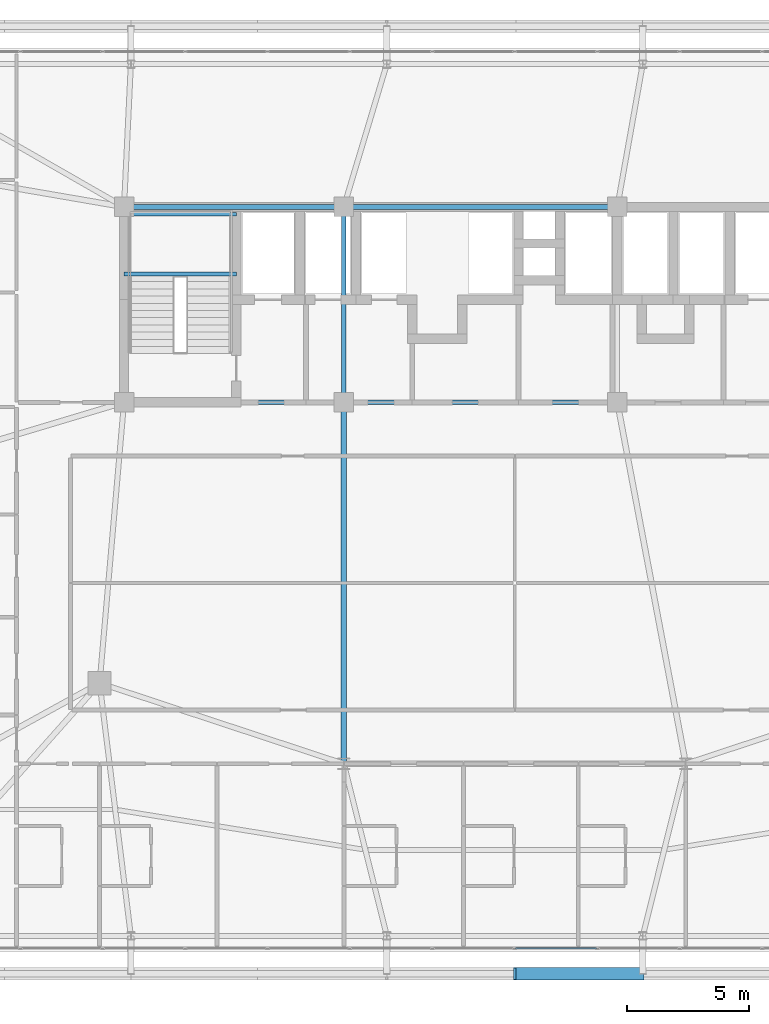
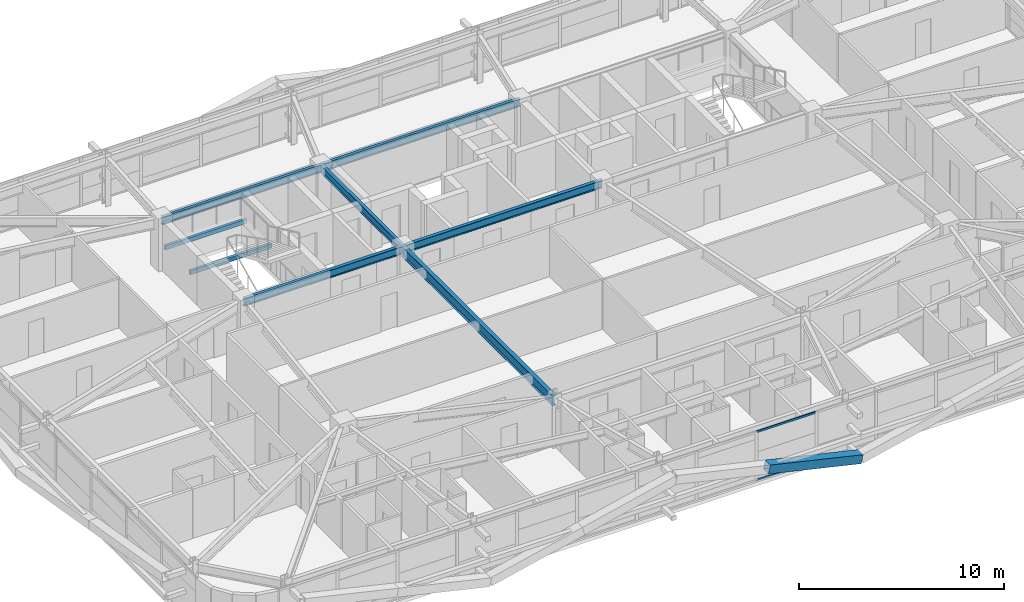
# One storey, part 19 of 59: 8 beams, 3 members, 1 element without a shape of its own.
"""IFC4 building model written with IfcOpenShell, lengths in metres."""

from ifc_helpers import new_model, si_unit, direction, frame, origin, origin_2d, place, context, subcontext, project, spatial, hollow_rectangle, i_section, extrude, source, transform, mapped, material, layer, layer_set, material_profile, profile_set, type_object, element, aggregate, save


model = new_model("IFC4")

# Units and contexts
model_context = context("Model", 3, precision=1e-05, world=origin(), true_north=direction((0.0, 1.0)))
body_context = subcontext(model_context, "Body", "Model", "MODEL_VIEW")
ifc_project = project(units=[si_unit("LENGTHUNIT", "METRE"), si_unit("AREAUNIT", "SQUARE_METRE"), si_unit("VOLUMEUNIT", "CUBIC_METRE"), si_unit("PLANEANGLEUNIT", "RADIAN"), si_unit("MASSUNIT", "GRAM", prefix="KILO")], contexts=[model_context])

# Site, building, storey
site_placement = place(None, origin())
site = spatial("IfcSite", under=ifc_project, at=site_placement, CompositionType="ELEMENT")
building_placement = place(site_placement, origin())
building = spatial("IfcBuilding", under=site, at=building_placement, Name="Taldren Reach Tower", CompositionType="ELEMENT")
storey_placement = place(building_placement, frame((0.0, 0.0, 19.949951171875)))
storey = spatial("IfcBuildingStorey", under=building, at=storey_placement, Name="L05", CompositionType="ELEMENT", Elevation=19.949951171875)

# Beams
ifc_material_1 = material(Name="Steel Gr 350 (350PLUS)", Category="steel")
ifc_material_profile_1 = material_profile(ifc_material_1, i_section(OverallWidth=0.19091796875, OverallDepth=0.4599609375, WebThickness=0.010009765625, FlangeThickness=0.01611328125, at=origin_2d()), Name="460UB82.1")
ifc_profile_set_1 = profile_set([ifc_material_profile_1], Name="Steel Gr 350 (350PLUS)")
beam_type_1 = type_object("IfcBeamType", Name="BM-UB460A", PredefinedType="BEAM", material=ifc_profile_set_1)
shared_shape_1 = source(origin(), body_context, "Body", "SweptSolid", [
    extrude(i_section(OverallWidth=0.19091796875, OverallDepth=0.4599609375, WebThickness=0.010009765625, FlangeThickness=0.01611328125, at=origin_2d()), origin(), (0.0, 0.0, 1.0), 9.0),
])
for number, where, z_axis, x_axis, name in (
    (1, (19.0, 24.0, 2.699951171875), (1.0, 0.0, 0.0), (0.0, 1.0, 0.0), "Core-spine girder L05-SP01"),
    (2, (19.0, 32.0, 2.699951171875), (1.0, 0.0, 0.0), (0.0, 1.0, 0.0), "Core-spine girder L05-SP04"),
):
    element("IfcBeam", number, at=place(storey_placement, frame(where, z_axis=z_axis, x_axis=x_axis)), inside=storey, type_object=beam_type_1, Name=name, PredefinedType="BEAM", context=body_context, shape_type="MappedRepresentation", body=[
        mapped(shared_shape_1, transform((0.0, 0.0, 0.0), scale=1.0)),
    ])
shared_shape_2 = source(origin(), body_context, "Body", "SweptSolid", [
    extrude(i_section(OverallWidth=0.19091796875, OverallDepth=0.4599609375, WebThickness=0.010009765625, FlangeThickness=0.01611328125, at=origin_2d()), origin(), (0.0, 0.0, 1.0), 11.199951171875),
])
for number, where, z_axis, x_axis, name in (
    (3, (28.0, 24.0, 2.699951171875), (1.0, 0.0, 0.0), (0.0, 1.0, 0.0), "Core-spine girder L05-SP02"),
    (4, (28.0, 32.0, 2.699951171875), (1.0, 0.0, 0.0), (0.0, 1.0, 0.0), "Core-spine girder L05-SP05"),
):
    element("IfcBeam", number, at=place(storey_placement, frame(where, z_axis=z_axis, x_axis=x_axis)), inside=storey, type_object=beam_type_1, Name=name, PredefinedType="BEAM", context=body_context, shape_type="MappedRepresentation", body=[
        mapped(shared_shape_2, transform((0.0, 0.0, 0.0), scale=1.0)),
    ])
shared_shape_3 = source(origin(), body_context, "Body", "SweptSolid", [
    extrude(i_section(OverallWidth=0.19091796875, OverallDepth=0.4599609375, WebThickness=0.010009765625, FlangeThickness=0.01611328125, at=origin_2d()), origin(), (0.0, 0.0, 1.0), 8.0),
])
beam_1_placement = place(storey_placement, frame((28.0, 24.0, 2.699951171875), z_axis=(0.0, 1.0, 0.0), x_axis=(-1.0, 0.0, 0.0)))
element("IfcBeam", 5, at=beam_1_placement, inside=storey, type_object=beam_type_1, Name="Core-spine girder L05-SP07", PredefinedType="BEAM", context=body_context, shape_type="MappedRepresentation", body=[
    mapped(shared_shape_3, transform((0.0, 0.0, 0.0), scale=1.0)),
])
ifc_material_profile_2 = material_profile(ifc_material_1, i_section(OverallWidth=0.22802734375, OverallDepth=0.60205078125, WebThickness=0.010498046875, FlangeThickness=0.014892578125, at=origin_2d()), Name="610UB101")
ifc_profile_set_2 = profile_set([ifc_material_profile_2], Name="Steel Gr 350 (350PLUS)")
beam_type_2 = type_object("IfcBeamType", Name="BM-UB610B", PredefinedType="BEAM", material=ifc_profile_set_2)
shared_shape_4 = source(origin(), body_context, "Body", "SweptSolid", [
    extrude(i_section(OverallWidth=0.22802734375, OverallDepth=0.60205078125, WebThickness=0.010498046875, FlangeThickness=0.014892578125, at=origin_2d()), origin(), (0.0, 0.0, 1.0), 14.800048828125),
])
beam_2_placement = place(storey_placement, frame((28.0, 24.0, 2.629150390625), z_axis=(0.0, -1.0, 0.0), x_axis=(1.0, 0.0, 0.0)))
element("IfcBeam", 6, at=beam_2_placement, inside=storey, type_object=beam_type_2, Name="Core-spine girder L05-SP14", PredefinedType="BEAM", context=body_context, shape_type="MappedRepresentation", body=[
    mapped(shared_shape_4, transform((0.0, 0.0, 0.0), scale=1.0)),
])

# Member
ifc_material_2 = material(Name="Steel Gr 450 (C450L0)", Category="steel")
ifc_material_profile_3 = material_profile(ifc_material_2, hollow_rectangle(XDim=0.510009765625, YDim=0.510009765625, WallThickness=0.02001953125, at=origin_2d()), Name="510x510x20.0SHS")
ifc_profile_set_3 = profile_set([ifc_material_profile_3], Name="Steel Gr 450 (C450L0)")
member_type_1 = type_object("IfcMemberType", Name="MB-EXO508", PredefinedType="BRACE", material=ifc_profile_set_3)
shared_shape_5 = source(origin(), body_context, "Body", "SweptSolid", [
    extrude(hollow_rectangle(XDim=0.510009765625, YDim=0.510009765625, WallThickness=0.02001953125, at=origin_2d()), origin(), (0.0, 0.0, 1.0), 5.37890625),
])
member_1_placement = place(storey_placement, frame((40.239990234375, 0.60009765625, 0.219970703125), z_axis=(-0.97415197996, 0.0, 0.225893603143), x_axis=(0.0, -1.0, 0.0)))
element("IfcMember", 7, at=member_1_placement, inside=storey, type_object=member_type_1, Name="Exoskeleton Diagrid Brace B1-S3 L05", PredefinedType="BRACE", context=body_context, shape_type="MappedRepresentation", body=[
    mapped(shared_shape_5, transform((0.0, 0.0, 0.0), scale=1.0)),
])

# Curtain wall, members
ifc_material_3 = material(Name="Aluminium and Low-E Glass Unitised System", Category="aluminium")
ifc_layer = layer(ifc_material_3, 0.159912109375)
ifc_layer_set = layer_set([ifc_layer], Name="Aluminium and Low-E Glass Unitised System")
curtain_wall_type = type_object("IfcCurtainWallType", Name="CW-SYS-2", PredefinedType="NOTDEFINED", material=ifc_layer_set)
curtain_wall_placement = place(storey_placement, origin())
curtain_wall = element("IfcCurtainWall", 8, at=curtain_wall_placement, inside=storey, type_object=curtain_wall_type, Name="Unitised curtain wall CW-L05-S", PredefinedType="NOTDEFINED")
ifc_material_4 = material(Name="Anodised Aluminium 6063-T6", Category="aluminium")
ifc_material_profile_4 = material_profile(ifc_material_4, hollow_rectangle(XDim=0.054931640625, YDim=0.1201171875, WallThickness=0.0029296875, at=origin_2d()), Name="ALU-120x55x3RHS")
ifc_profile_set_4 = profile_set([ifc_material_profile_4], Name="Anodised Aluminium 6063-T6")
member_type_2 = type_object("IfcMemberType", Name="CW-TRN-135", PredefinedType="USERDEFINED", material=ifc_profile_set_4)
shared_shape_6 = source(origin(), body_context, "Body", "SweptSolid", [
    extrude(hollow_rectangle(XDim=0.054931640625, YDim=0.1201171875, WallThickness=0.0029296875, at=origin_2d()), origin(), (0.0, 0.0, 1.0), 3.31005859375),
])
member_2_placement = place(storey_placement, frame((35.032470703125, 1.639892578125, 0.027587890625), z_axis=(1.0, 0.0, 0.0), x_axis=(0.0, 1.0, 0.0)))
member_2 = element("IfcMember", 9, at=member_2_placement, type_object=member_type_2, Name="CW-2 transom 9.1", ObjectType="TRANSOM", PredefinedType="USERDEFINED", context=body_context, shape_type="MappedRepresentation", body=[
    mapped(shared_shape_6, transform((0.0, 0.0, 0.0), scale=1.0)),
])
member_3_placement = place(storey_placement, frame((35.032470703125, 1.639892578125, 2.902587890625), z_axis=(1.0, 0.0, 0.0), x_axis=(0.0, 1.0, 0.0)))
member_3 = element("IfcMember", 10, at=member_3_placement, type_object=member_type_2, Name="CW-2 transom 9.2", ObjectType="TRANSOM", PredefinedType="USERDEFINED", context=body_context, shape_type="MappedRepresentation", body=[
    mapped(shared_shape_6, transform((0.0, 0.0, 0.0), scale=1.0)),
])
aggregate(curtain_wall, [member_2, member_3])

# Beams
ifc_material_5 = material(Name="Steel Gr 350 (C350L0)", Category="steel")
ifc_material_profile_5 = material_profile(ifc_material_5, hollow_rectangle(XDim=0.14990234375, YDim=0.25, WallThickness=0.009033203125, at=origin_2d()), Name="250x150x9.0RHS")
ifc_profile_set_5 = profile_set([ifc_material_profile_5], Name="Steel Gr 350 (C350L0)")
beam_type_3 = type_object("IfcBeamType", Name="LN-RHS250", PredefinedType="LINTEL", material=ifc_profile_set_5)
shared_shape_7 = source(origin(), body_context, "Body", "SweptSolid", [
    extrude(hollow_rectangle(XDim=0.14990234375, YDim=0.25, WallThickness=0.009033203125, at=origin_2d()), origin(), (0.0, 0.0, 1.0), 4.60009765625),
])
for number, where, z_axis, x_axis, name in (
    (11, (19.0, 29.2548828125, 1.27001953125), (1.0, 0.0, 0.0), (0.0, 1.0, 0.0), "Stair half-landing support beam ST1-L05-1"),
    (12, (19.0, 31.699951171875, 1.27001953125), (1.0, 0.0, 0.0), (0.0, 1.0, 0.0), "Stair half-landing support beam ST1-L05-2"),
):
    element("IfcBeam", number, at=place(storey_placement, frame(where, z_axis=z_axis, x_axis=x_axis)), inside=storey, type_object=beam_type_3, Name=name, PredefinedType="LINTEL", context=body_context, shape_type="MappedRepresentation", body=[
        mapped(shared_shape_7, transform((0.0, 0.0, 0.0), scale=1.0)),
    ])

save(model, "model.ifc")
